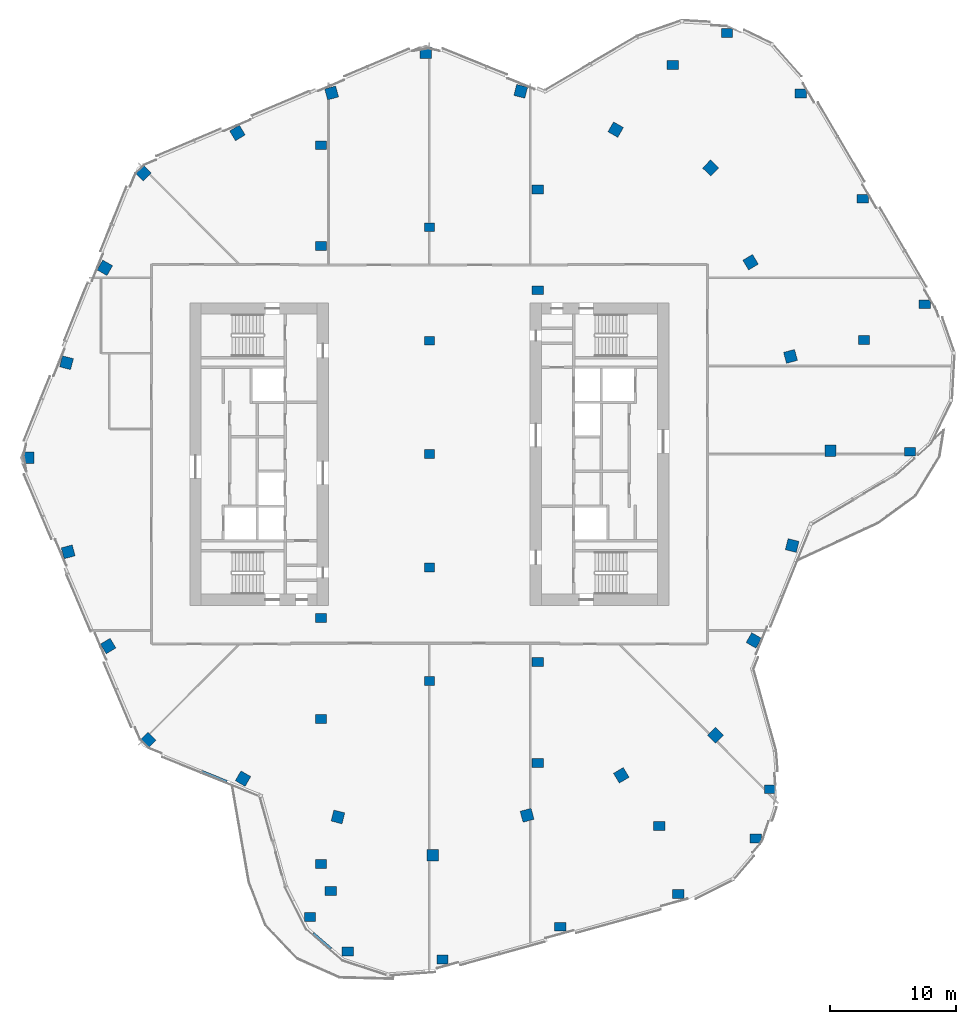
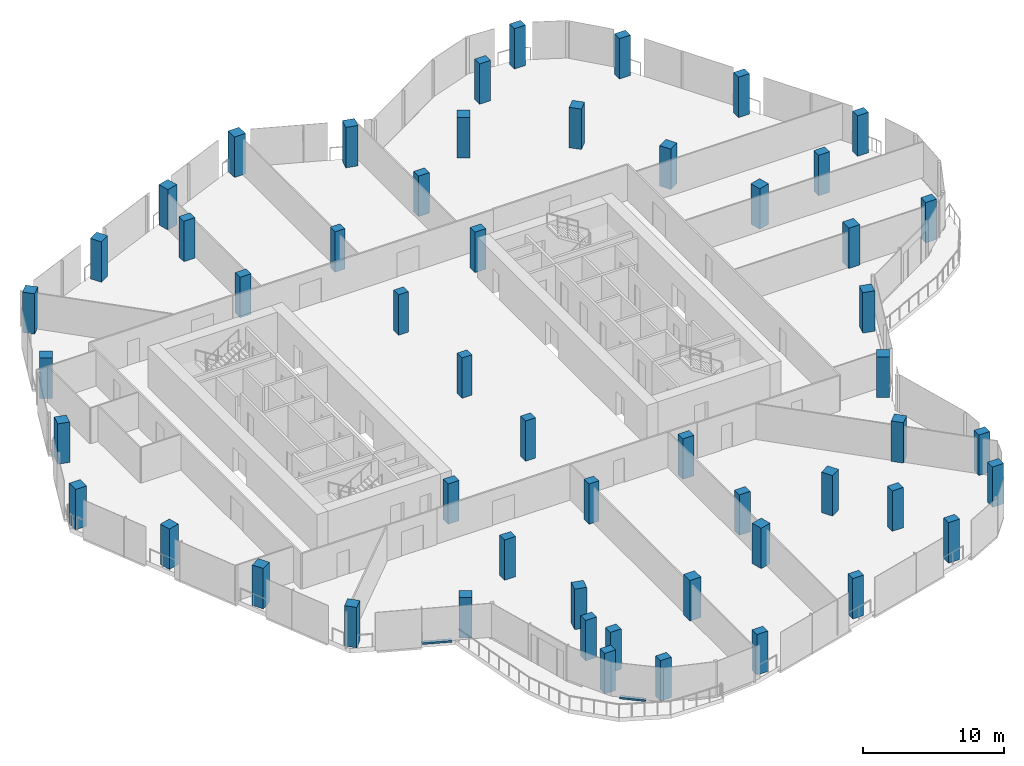
# One storey, part 1 of 26: 54 columns, 2 members, 2 elements without a shape of their own.
"""IFC4 building model written with IfcOpenShell, lengths in metres."""

import ifcopenshell
import ifcopenshell.guid

model = None  # the IFC model being written
_history = None  # IfcOwnerHistory: only IFC2X3 demands one
_inside = {}  # id of a spatial element -> (the spatial element, [elements in it])
_under = {}  # id of a project, library or spatial element -> (it, [spatial elements below it])
_declared = {}  # id of a project -> (the project, [libraries it declares])
_typed = {}  # id of a type object -> (the type object, [elements of that type])
_made_of = {}  # id of a material, layer set ... -> (it, [elements and type objects made of it])


def new_model(schema):
    """Start an empty IFC model of exactly this schema.

    Asked for "IFC4X3", IfcOpenShell would pick the latest addendum, in which some entities
    have other attributes; the version numbers below select the first issue.
    IFC2X3 requires an IfcOwnerHistory on every rooted entity: one is made here for all.
    """
    global model, _history
    if schema == "IFC4X3":
        model = ifcopenshell.file(schema_version=(4, 3, 0, 0))
    else:
        model = ifcopenshell.file(schema=schema)
    _inside.clear()
    _under.clear()
    _declared.clear()
    _typed.clear()
    _made_of.clear()
    _history = None
    if model.schema == "IFC2X3":
        org = make("IfcOrganization", Name="unknown")
        user = make(
            "IfcPersonAndOrganization",
            ThePerson=make("IfcPerson", FamilyName="unknown"),
            TheOrganization=org,
        )
        app = make(
            "IfcApplication",
            ApplicationDeveloper=org,
            Version="unknown",
            ApplicationFullName="unknown",
            ApplicationIdentifier="unknown",
        )
        _history = make(
            "IfcOwnerHistory",
            OwningUser=user,
            OwningApplication=app,
            ChangeAction="ADDED",
            CreationDate=0,
        )
    return model


def make(cls, **values):
    """One entity of the class cls with the attributes given. An attribute that is None is left unset."""
    return model.create_entity(
        cls, **{name: value for name, value in values.items() if value is not None}
    )


def rooted(cls, **values):
    """An entity with a GlobalId (a new one), such as an element, a storey or a relation."""
    return make(cls, GlobalId=ifcopenshell.guid.new(), OwnerHistory=_history, **values)


def si_unit(unit_type, name, prefix=None):
    """IfcSIUnit, for example si_unit("LENGTHUNIT", "METRE", prefix="MILLI")."""
    return make("IfcSIUnit", UnitType=unit_type, Prefix=prefix, Name=name)


def assignment(units):
    """IfcUnitAssignment: the units of a project."""
    return None if units is None else make("IfcUnitAssignment", Units=units)


def point(xyz):
    """IfcCartesianPoint."""
    return None if xyz is None else make("IfcCartesianPoint", Coordinates=xyz)


def direction(xyz):
    """IfcDirection."""
    return None if xyz is None else make("IfcDirection", DirectionRatios=xyz)


def frame(location, z_axis=None, x_axis=None):
    """IfcAxis2Placement3D, a coordinate frame: its origin and axes. An axis left out is left unset."""
    return make(
        "IfcAxis2Placement3D",
        Location=point(location),
        Axis=direction(z_axis),
        RefDirection=direction(x_axis),
    )


def frame_2d(location, x_axis=None):
    """IfcAxis2Placement2D, a coordinate frame in the plane: its origin and x axis."""
    return make(
        "IfcAxis2Placement2D", Location=point(location), RefDirection=direction(x_axis)
    )


def origin():
    """The frame at (0, 0, 0) with its axes left unset."""
    return frame((0.0, 0.0, 0.0))


def origin_2d():
    """The frame at (0, 0) in the plane with its x axis left unset."""
    return frame_2d((0.0, 0.0))


def place(relative_to, where):
    """IfcLocalPlacement: puts the frame where relative to a parent placement (None: the world)."""
    return make(
        "IfcLocalPlacement", PlacementRelTo=relative_to, RelativePlacement=where
    )


def context(
    kind, dimensions, precision=None, world=None, true_north=None, identifier=None
):
    """IfcGeometricRepresentationContext, for example the 3D "Model" context."""
    return make(
        "IfcGeometricRepresentationContext",
        ContextIdentifier=identifier,
        ContextType=kind,
        CoordinateSpaceDimension=dimensions,
        Precision=precision,
        WorldCoordinateSystem=world,
        TrueNorth=true_north,
    )


def subcontext(parent, identifier, kind, view, scale=None):
    """IfcGeometricRepresentationSubContext, for example "Body" below "Model"."""
    return make(
        "IfcGeometricRepresentationSubContext",
        ContextIdentifier=identifier,
        ContextType=kind,
        ParentContext=parent,
        TargetScale=scale,
        TargetView=view,
    )


def project(units=None, contexts=None):
    """IfcProject with its units and contexts."""
    return rooted(
        "IfcProject",
        Name="project",
        RepresentationContexts=contexts,
        UnitsInContext=assignment(units),
    )


def spatial(cls, under=None, at=None, **own):
    """A site, building, storey or space (cls), placed at a placement, below another one or the project."""
    s = rooted(cls, ObjectPlacement=at, **own)
    if under is not None:
        _under.setdefault(under.id(), (under, []))[1].append(s)
    return s


def profile(cls, at=None, kind="AREA", **sizes):
    """A parametric profile (cls). Its sizes go by their IFC names, for example OverallWidth=200.0."""
    return make(cls, ProfileType=kind, Position=at, **sizes)


def rectangle(**sizes):
    """IfcRectangleProfileDef."""
    return profile("IfcRectangleProfileDef", **sizes)


def extrude(swept, where, along, depth):
    """IfcExtrudedAreaSolid: the profile swept, set in the frame where, extruded along a direction by depth."""
    return make(
        "IfcExtrudedAreaSolid",
        SweptArea=swept,
        Position=where,
        ExtrudedDirection=direction(along),
        Depth=depth,
    )


def shape(context_of_items, identifier, shape_type, items):
    """IfcShapeRepresentation: the items that make up one representation, for example the "Body"."""
    return make(
        "IfcShapeRepresentation",
        ContextOfItems=context_of_items,
        RepresentationIdentifier=identifier,
        RepresentationType=shape_type,
        Items=items,
    )


def material(Name=None, Category=None):
    """IfcMaterial."""
    return make("IfcMaterial", Name=Name, Category=Category)


def material_profile(
    of_material, cross_section, Name=None, Category=None, Priority=None
):
    """IfcMaterialProfile: a cross section and its material."""
    return make(
        "IfcMaterialProfile",
        Name=Name,
        Material=of_material,
        Profile=cross_section,
        Priority=Priority,
        Category=Category,
    )


def profile_set(profiles, Name=None, composite=None):
    """IfcMaterialProfileSet."""
    return make(
        "IfcMaterialProfileSet",
        Name=Name,
        MaterialProfiles=profiles,
        CompositeProfile=composite,
    )


def made_of(thing, what):
    """Note that an element or type object is made of a material, layer set ...; save() writes the relation."""
    if what is not None:
        _made_of.setdefault(what.id(), (what, []))[1].append(thing)
    return thing


def type_object(cls, material=None, **own):
    """A type object (cls), such as IfcWallType, which elements share."""
    return made_of(rooted(cls, **own), material)


def element(
    cls,
    number,
    at=None,
    inside=None,
    cuts=None,
    type_object=None,
    material=None,
    context=None,
    identifier="Body",
    shape_type=None,
    held_by="IfcProductDefinitionShape",
    body=None,
    shapes=None,
    **own,
):
    """One element of the class cls, such as IfcWall. Its Tag is "e" and its number.

    at: its placement. inside: the storey or other place that contains it. cuts: it is an
    opening in that element (IfcRelVoidsElement). A single representation is given by context,
    identifier, shape_type and body (its items); several are given by shapes. held_by: the class
    of the entity that holds the representations. save() writes the other relations.
    """
    e = rooted(cls, Tag="e%d" % number, ObjectPlacement=at, **own)
    if body is not None:
        shapes = [shape(context, identifier, shape_type, body)]
    if shapes is not None:
        e.Representation = make(held_by, Representations=shapes)
    if inside is not None:
        _inside.setdefault(inside.id(), (inside, []))[1].append(e)
    if cuts is not None:
        rooted(
            "IfcRelVoidsElement", RelatingBuildingElement=cuts, RelatedOpeningElement=e
        )
    if type_object is not None:
        _typed.setdefault(type_object.id(), (type_object, []))[1].append(e)
    return made_of(e, material)


def aggregate(whole, parts):
    """IfcRelAggregates: a whole, such as a stair, and the parts it consists of."""
    return rooted("IfcRelAggregates", RelatingObject=whole, RelatedObjects=parts)


def save(model, path):
    """Write the relations noted so far, then the file.

    IfcRelAggregates (storeys below a building ...), IfcRelContainedInSpatialStructure (elements
    in a storey), IfcRelDefinesByType, IfcRelAssociatesMaterial and IfcRelDeclares: one each for
    every whole, place, type object, material and project.
    """
    for whole, parts in _under.values():
        aggregate(whole, parts)
    for where, things in _inside.values():
        rooted(
            "IfcRelContainedInSpatialStructure",
            RelatedElements=things,
            RelatingStructure=where,
        )
    for kind, things in _typed.values():
        rooted("IfcRelDefinesByType", RelatedObjects=things, RelatingType=kind)
    for what, things in _made_of.values():
        rooted("IfcRelAssociatesMaterial", RelatedObjects=things, RelatingMaterial=what)
    for by, libraries in _declared.values():
        rooted("IfcRelDeclares", RelatingContext=by, RelatedDefinitions=libraries)
    model.write(path)


model = new_model("IFC4")

# Units and contexts
model_context = context("Model", 3, precision=1e-05, world=origin(), true_north=direction((0.0, 1.0)))
body_context = subcontext(model_context, "Body", "Model", "MODEL_VIEW")
ifc_project = project(units=[si_unit("LENGTHUNIT", "METRE"), si_unit("AREAUNIT", "SQUARE_METRE"), si_unit("VOLUMEUNIT", "CUBIC_METRE"), si_unit("PLANEANGLEUNIT", "RADIAN"), si_unit("MASSUNIT", "GRAM", prefix="KILO")], contexts=[model_context])

# Site, building, storey
site_placement = place(None, origin())
site = spatial("IfcSite", under=ifc_project, at=site_placement, CompositionType="ELEMENT")
building_placement = place(site_placement, origin())
building = spatial("IfcBuilding", under=site, at=building_placement, Name="Orlundy Tower", CompositionType="ELEMENT")
storey_placement = place(building_placement, frame((0.0, 0.0, 275.39990234375)))
storey = spatial("IfcBuildingStorey", under=building, at=storey_placement, Name="L73", CompositionType="ELEMENT", Elevation=275.39990234375)

# Columns
ifc_material_1 = material(Name="Concrete C50/60", Category="concrete")
ifc_material_profile_1 = material_profile(ifc_material_1, rectangle(XDim=0.800048828125, YDim=0.699951171875, at=origin_2d()), Name="RC800X700")
ifc_profile_set_1 = profile_set([ifc_material_profile_1], Name="Concrete C50/60")
column_type_1 = type_object("IfcColumnType", Name="RC COLUMN RC800X700 C50/60", PredefinedType="COLUMN", material=ifc_profile_set_1)
for number, where, z_axis, x_axis, name in (
    (1, (0.0, -18.0, 0.0), (0.0, 0.0, 1.0), (1.0, 0.0, 0.0), "Column C-M1 L73"),
    (2, (0.0, -9.0, 0.0), (0.0, 0.0, 1.0), (1.0, 0.0, 0.0), "Column C-M2 L73"),
    (3, (0.0, 0.0, 0.0), (0.0, 0.0, 1.0), (1.0, 0.0, 0.0), "Column C-M3 L73"),
    (4, (0.0, 9.0, 0.0), (0.0, 0.0, 1.0), (1.0, 0.0, 0.0), "Column C-M4 L73"),
    (5, (0.0, 18.0, 0.0), (0.0, 0.0, 1.0), (1.0, 0.0, 0.0), "Column C-M5 L73"),
):
    element("IfcColumn", number, at=place(storey_placement, frame(where, z_axis=z_axis, x_axis=x_axis)), inside=storey, type_object=column_type_1, Name=name, PredefinedType="COLUMN", context=body_context, shape_type="SweptSolid", body=[
        extrude(rectangle(XDim=0.800048828125, YDim=0.699951171875, at=origin_2d()), origin(), (0.0, 0.0, 1.0), 3.5),
    ])
ifc_material_2 = material(Name="Concrete C50/60", Category="concrete")
ifc_material_profile_2 = material_profile(ifc_material_2, rectangle(XDim=0.89990234375, YDim=0.699951171875, at=origin_2d()), Name="RC900X700")
ifc_profile_set_2 = profile_set([ifc_material_profile_2], Name="Concrete C50/60")
column_type_2 = type_object("IfcColumnType", Name="RC COLUMN RC900X700 C50/60", PredefinedType="COLUMN", material=ifc_profile_set_2)
for number, where, z_axis, x_axis, name in (
    (6, (38.1279296875, 0.195068359375, 0.0), (0.0, 0.0, 1.0), (1.0, 0.0, 0.0), "Column C-A1-1 L73"),
    (7, (39.302001953125, 11.89306640625, 0.0), (0.0, 0.0, 1.0), (1.0, 0.0, 0.0), "Column C-A2-5 L73"),
    (8, (34.47705078125, 9.051025390625, 0.0), (0.0, 0.0, 1.0), (1.0, 0.0, 0.0), "Column C-A2-6 L73"),
    (9, (34.37890625, 20.2509765625, 0.0), (0.0, 0.0, 1.0), (1.0, 0.0, 0.0), "Column C-A3-5 L73"),
    (10, (29.4560546875, 28.60888671875, 0.0), (0.0, 0.0, 1.0), (1.0, 0.0, 0.0), "Column C-A4-5 L73"),
    (11, (23.610107421875, 33.39697265625, 0.0), (0.0, 0.0, 1.0), (1.0, 0.0, 0.0), "Column C-A5-5 L73"),
    (12, (19.302001953125, 30.860107421875, 0.0), (0.0, 0.0, 1.0), (1.0, 0.0, 0.0), "Column C-A5-6 L73"),
    (13, (-9.468017578125, -36.7080078125, 0.0), (0.0, 0.0, 1.0), (1.0, 0.0, 0.0), "Column C-B1-1 L73"),
    (14, (-6.48388671875, -39.4609375, 0.0), (0.0, 0.0, 1.0), (1.0, 0.0, 0.0), "Column C-B1-5 L73"),
    (15, (-7.820068359375, -34.64306640625, 0.0), (0.0, 0.0, 1.0), (1.0, 0.0, 0.0), "Column C-B1-6 L73"),
    (16, (1.048095703125, -40.076904296875, 0.0), (0.0, 0.0, 1.0), (1.0, 0.0, 0.0), "Column C-B2-5 L73"),
    (17, (10.39599609375, -37.485107421875, 0.0), (0.0, 0.0, 1.0), (1.0, 0.0, 0.0), "Column C-B3-5 L73"),
    (18, (19.742919921875, -34.89306640625, 0.0), (0.0, 0.0, 1.0), (1.0, 0.0, 0.0), "Column C-B4-5 L73"),
    (19, (18.24609375, -29.4970703125, 0.0), (0.0, 0.0, 1.0), (1.0, 0.0, 0.0), "Column C-B4-6 L73"),
    (20, (27.02197265625, -26.589111328125, 0.0), (0.0, 0.0, 1.0), (1.0, 0.0, 0.0), "Column C-B5-1 L73"),
    (21, (25.881103515625, -30.485107421875, 0.0), (0.0, 0.0, 1.0), (1.0, 0.0, 0.0), "Column C-B5-5 L73"),
    (22, (8.60009765625, -24.5, 0.0), (0.0, 0.0, 1.0), (1.0, 0.0, 0.0), "Column C-SE2 L73"),
    (23, (8.60009765625, -16.5, 0.0), (0.0, 0.0, 1.0), (1.0, 0.0, 0.0), "Column C-SE3 L73"),
    (24, (8.60009765625, 13.0, 0.0), (0.0, 0.0, 1.0), (1.0, 0.0, 0.0), "Column C-SE4 L73"),
    (25, (8.60009765625, 21.0, 0.0), (0.0, 0.0, 1.0), (1.0, 0.0, 0.0), "Column C-SE5 L73"),
    (26, (-8.60009765625, 24.5, 0.0), (0.0, 0.0, 1.0), (1.0, 0.0, 0.0), "Column C-SW1 L73"),
    (27, (-8.60009765625, 16.5, 0.0), (0.0, 0.0, 1.0), (1.0, 0.0, 0.0), "Column C-SW2 L73"),
    (28, (-8.60009765625, -13.0, 0.0), (0.0, 0.0, 1.0), (1.0, 0.0, 0.0), "Column C-SW3 L73"),
    (29, (-8.60009765625, -21.0, 0.0), (0.0, 0.0, 1.0), (1.0, 0.0, 0.0), "Column C-SW4 L73"),
    (30, (-8.60009765625, -32.5, 0.0), (0.0, 0.0, 1.0), (1.0, 0.0, 0.0), "Column C-SW5 L73"),
):
    element("IfcColumn", number, at=place(storey_placement, frame(where, z_axis=z_axis, x_axis=x_axis)), inside=storey, type_object=column_type_2, Name=name, PredefinedType="COLUMN", context=body_context, shape_type="SweptSolid", body=[
        extrude(rectangle(XDim=0.89990234375, YDim=0.699951171875, at=origin_2d()), origin(), (0.0, 0.0, 1.0), 3.5),
    ])
ifc_material_3 = material(Name="Concrete C50/60", Category="concrete")
ifc_material_profile_3 = material_profile(ifc_material_3, rectangle(XDim=0.89990234375, YDim=0.89990234375, at=origin_2d()), Name="RC900X900")
ifc_profile_set_3 = profile_set([ifc_material_profile_3], Name="Concrete C50/60")
column_type_3 = type_object("IfcColumnType", Name="RC COLUMN RC900X900 C50/60", PredefinedType="COLUMN", material=ifc_profile_set_3)
for number, where, z_axis, x_axis, name in (
    (31, (-0.278076171875, 31.821044921875, 0.0), (0.0, 0.0, 1.0), (-0.008743988125, 0.999961770605, 0.0), "Column C-H01 L73"),
    (32, (7.25, 28.780029296875, 0.0), (0.0, 0.0, 1.0), (0.244275126238, 0.969705967137, 0.0), "Column C-H02 L73"),
    (33, (14.777099609375, 25.739013671875, 0.0), (0.0, 0.0, 1.0), (0.49789754642, 0.867235857924, 0.0), "Column C-H03 L73"),
    (34, (22.304931640625, 22.697021484375, 0.0), (0.0, 0.0, 1.0), (0.700921712762, 0.713238215871, 0.0), "Column C-H04 L73"),
    (35, (25.47705078125, 15.22412109375, 0.0), (0.0, 0.0, 1.0), (0.858414263358, 0.512957066881, 0.0), "Column C-H05 L73"),
    (36, (28.64892578125, 7.7509765625, 0.0), (0.0, 0.0, 1.0), (0.965295087436, 0.261161624617, 0.0), "Column C-H06 L73"),
    (37, (31.821044921875, 0.278076171875, 0.0), (0.0, 0.0, 1.0), (0.999961770605, 0.008743988125, 0.0), "Column C-H07 L73"),
    (38, (28.780029296875, -7.25, 0.0), (0.0, 0.0, 1.0), (0.969705967137, -0.244275126238, 0.0), "Column C-H08 L73"),
    (39, (25.739013671875, -14.777099609375, 0.0), (0.0, 0.0, 1.0), (0.867235857924, -0.49789754642, 0.0), "Column C-H09 L73"),
    (40, (22.697021484375, -22.304931640625, 0.0), (0.0, 0.0, 1.0), (0.713238215871, -0.700921712762, 0.0), "Column C-H10 L73"),
    (41, (15.22412109375, -25.47705078125, 0.0), (0.0, 0.0, 1.0), (0.512957066881, -0.858414263358, 0.0), "Column C-H11 L73"),
    (42, (7.7509765625, -28.64892578125, 0.0), (0.0, 0.0, 1.0), (0.261161624617, -0.965295087436, 0.0), "Column C-H12 L73"),
    (43, (0.278076171875, -31.821044921875, 0.0), (0.0, 0.0, 1.0), (0.008743988125, -0.999961770605, 0.0), "Column C-H13 L73"),
    (44, (-7.25, -28.780029296875, 0.0), (0.0, 0.0, 1.0), (-0.244275126238, -0.969705967137, 0.0), "Column C-H14 L73"),
    (45, (-14.777099609375, -25.739013671875, 0.0), (0.0, 0.0, 1.0), (-0.49789754642, -0.867235857924, 0.0), "Column C-H15 L73"),
    (46, (-22.304931640625, -22.697021484375, 0.0), (0.0, 0.0, 1.0), (-0.700921712762, -0.713238215871, 0.0), "Column C-H16 L73"),
    (47, (-25.47705078125, -15.22412109375, 0.0), (0.0, 0.0, 1.0), (-0.858414263358, -0.512957066881, 0.0), "Column C-H17 L73"),
    (48, (-28.64892578125, -7.7509765625, 0.0), (0.0, 0.0, 1.0), (-0.965295087436, -0.261161624617, 0.0), "Column C-H18 L73"),
    (49, (-31.821044921875, -0.278076171875, 0.0), (0.0, 0.0, 1.0), (-0.999961770605, -0.008743988125, 0.0), "Column C-H19 L73"),
    (50, (-28.780029296875, 7.25, 0.0), (0.0, 0.0, 1.0), (-0.969705967137, 0.244275126238, 0.0), "Column C-H20 L73"),
    (51, (-25.739013671875, 14.777099609375, 0.0), (0.0, 0.0, 1.0), (-0.867235857924, 0.49789754642, 0.0), "Column C-H21 L73"),
    (52, (-22.697021484375, 22.304931640625, 0.0), (0.0, 0.0, 1.0), (-0.713238215871, 0.700921712762, 0.0), "Column C-H22 L73"),
    (53, (-15.22412109375, 25.47705078125, 0.0), (0.0, 0.0, 1.0), (-0.512957066881, 0.858414263358, 0.0), "Column C-H23 L73"),
    (54, (-7.7509765625, 28.64892578125, 0.0), (0.0, 0.0, 1.0), (-0.261161624617, 0.965295087436, 0.0), "Column C-H24 L73"),
):
    element("IfcColumn", number, at=place(storey_placement, frame(where, z_axis=z_axis, x_axis=x_axis)), inside=storey, type_object=column_type_3, Name=name, PredefinedType="COLUMN", context=body_context, shape_type="SweptSolid", body=[
        extrude(rectangle(XDim=0.89990234375, YDim=0.89990234375, at=origin_2d()), origin(), (0.0, 0.0, 1.0), 3.5),
    ])

# Curtain wall, member
ifc_material_4 = material(Name="Aluminium bronze anodised", Category="aluminium")
curtain_wall_type = type_object("IfcCurtainWallType", Name="CW6 wall", PredefinedType="NOTDEFINED", material=ifc_material_4)
curtain_wall_1_placement = place(storey_placement, origin())
curtain_wall_1 = element("IfcCurtainWall", 55, at=curtain_wall_1_placement, inside=storey, type_object=curtain_wall_type, Name="CW6 run 010", PredefinedType="NOTDEFINED")
ifc_material_5 = material(Name="Aluminium bronze anodised", Category="aluminium")
ifc_material_profile_4 = material_profile(ifc_material_5, rectangle(XDim=0.239990234375, YDim=0.159912109375, at=origin_2d()), Name="CW6 transom 240x160")
ifc_profile_set_4 = profile_set([ifc_material_profile_4], Name="Aluminium bronze anodised")
member_type = type_object("IfcMemberType", Name="CW6 transom 240x160", PredefinedType="USERDEFINED", material=ifc_profile_set_4)
member_1_placement = place(storey_placement, frame((-7.811767578125, -39.251708984375, 0.080078125), z_axis=(-0.757659363033, 0.652650204633, 0.0), x_axis=(-0.652650204633, -0.757659363033, 0.0)))
member_1 = element("IfcMember", 56, at=member_1_placement, type_object=member_type, Name="CW6 transom", ObjectType="TRANSOM", PredefinedType="USERDEFINED", context=body_context, shape_type="SweptSolid", body=[
    extrude(rectangle(XDim=0.239990234375, YDim=0.159912109375, at=origin_2d()), origin(), (0.0, 0.0, 1.0), 1.869140625),
])
aggregate(curtain_wall_1, [member_1])

curtain_wall_2_placement = place(storey_placement, origin())
curtain_wall_2 = element("IfcCurtainWall", 57, at=curtain_wall_2_placement, inside=storey, type_object=curtain_wall_type, Name="CW6 run 013", PredefinedType="NOTDEFINED")
member_2_placement = place(storey_placement, frame((-16.052734375, -25.99951171875, 0.080078125), z_axis=(-0.927243361712, 0.374459274368, 0.0), x_axis=(-0.374459274368, -0.927243361712, 0.0)))
member_2 = element("IfcMember", 58, at=member_2_placement, type_object=member_type, Name="CW6 transom", ObjectType="TRANSOM", PredefinedType="USERDEFINED", context=body_context, shape_type="SweptSolid", body=[
    extrude(rectangle(XDim=0.239990234375, YDim=0.159912109375, at=origin_2d()), origin(), (0.0, 0.0, 1.0), 2.138427734375),
])
aggregate(curtain_wall_2, [member_2])

save(model, "model.ifc")
